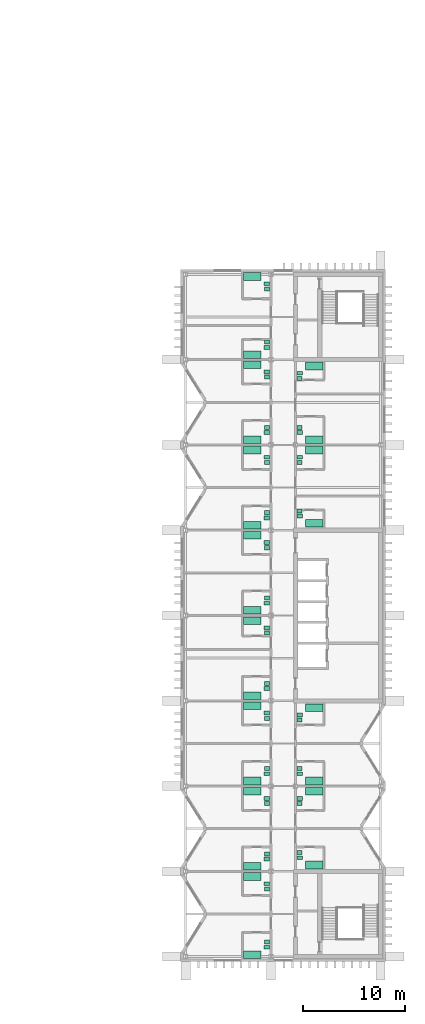
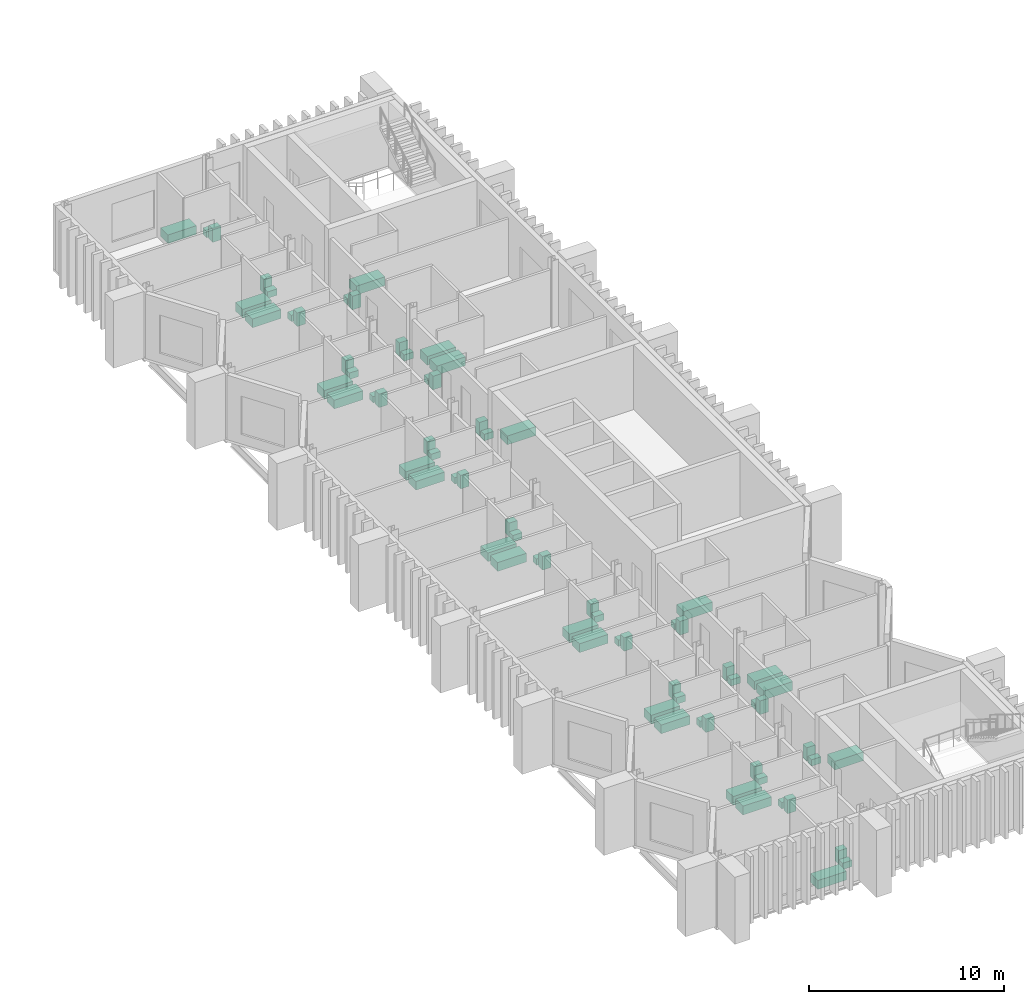
# One storey, part 20 of 20: 72 sanitary terminals.
"""IFC4 building model written with IfcOpenShell, lengths in metres."""

from ifc_helpers import new_model, si_unit, direction, frame, origin, origin_2d, place, context, subcontext, project, spatial, rectangle, extrude, material, type_object, element, save


model = new_model("IFC4")

# Units and contexts
model_context = context("Model", 3, precision=1e-05, world=origin(), true_north=direction((0.0, 1.0)))
body_context = subcontext(model_context, "Body", "Model", "MODEL_VIEW")
ifc_project = project(units=[si_unit("LENGTHUNIT", "METRE"), si_unit("AREAUNIT", "SQUARE_METRE"), si_unit("VOLUMEUNIT", "CUBIC_METRE"), si_unit("PLANEANGLEUNIT", "RADIAN"), si_unit("MASSUNIT", "GRAM", prefix="KILO")], contexts=[model_context])

# Site, building, storey
site_placement = place(None, origin())
site = spatial("IfcSite", under=ifc_project, at=site_placement, CompositionType="ELEMENT")
building_placement = place(site_placement, origin())
building = spatial("IfcBuilding", under=site, at=building_placement, Name="Cresset Court Congress Hotel", CompositionType="ELEMENT")
storey_placement = place(building_placement, frame((0.0, 0.0, 27.0)))
storey = spatial("IfcBuildingStorey", under=building, at=storey_placement, Name="L06", CompositionType="ELEMENT", Elevation=27.0)

# Sanitary terminals
ifc_material_1 = material(Name="Acrylic")
sanitary_terminal_type_1 = type_object("IfcSanitaryTerminalType", Name="Bath 1700x750", PredefinedType="BATH", material=ifc_material_1)
for number, where, z_axis, x_axis, name in (
    (1, (163.75, 0.205078125, 0.0), (0.0, 0.0, 1.0), (1.0, 0.0, 0.0), "Bath 1700x750 0601"),
    (2, (163.75, 7.89990234375, 0.0), (0.0, 0.0, 1.0), (1.0, 0.0, 0.0), "Bath 1700x750 0602"),
    (3, (163.75, 8.89990234375, 0.0), (0.0, 0.0, 1.0), (1.0, 0.0, 0.0), "Bath 1700x750 0603"),
    (4, (163.75, 16.300048828125, 0.0), (0.0, 0.0, 1.0), (1.0, 0.0, 0.0), "Bath 1700x750 0604"),
    (5, (163.75, 17.300048828125, 0.0), (0.0, 0.0, 1.0), (1.0, 0.0, 0.0), "Bath 1700x750 0605"),
    (6, (163.75, 24.699951171875, 0.0), (0.0, 0.0, 1.0), (1.0, 0.0, 0.0), "Bath 1700x750 0606"),
    (7, (163.75, 25.699951171875, 0.0), (0.0, 0.0, 1.0), (1.0, 0.0, 0.0), "Bath 1700x750 0607"),
    (8, (163.75, 33.10009765625, 0.0), (0.0, 0.0, 1.0), (1.0, 0.0, 0.0), "Bath 1700x750 0608"),
    (9, (163.75, 34.10009765625, 0.0), (0.0, 0.0, 1.0), (1.0, 0.0, 0.0), "Bath 1700x750 0609"),
    (10, (163.75, 41.5, 0.0), (0.0, 0.0, 1.0), (1.0, 0.0, 0.0), "Bath 1700x750 0610"),
    (11, (163.75, 42.5, 0.0), (0.0, 0.0, 1.0), (1.0, 0.0, 0.0), "Bath 1700x750 0611"),
    (12, (163.75, 49.89990234375, 0.0), (0.0, 0.0, 1.0), (1.0, 0.0, 0.0), "Bath 1700x750 0612"),
    (13, (163.75, 50.89990234375, 0.0), (0.0, 0.0, 1.0), (1.0, 0.0, 0.0), "Bath 1700x750 0613"),
    (14, (163.75, 58.300048828125, 0.0), (0.0, 0.0, 1.0), (1.0, 0.0, 0.0), "Bath 1700x750 0614"),
    (15, (163.75, 59.300048828125, 0.0), (0.0, 0.0, 1.0), (1.0, 0.0, 0.0), "Bath 1700x750 0615"),
    (16, (163.75, 66.9951171875, 0.0), (0.0, 0.0, 1.0), (1.0, 0.0, 0.0), "Bath 1700x750 0616"),
    (17, (169.85009765625, 9.02490234375, 0.0), (0.0, 0.0, 1.0), (1.0, 0.0, 0.0), "Bath 1700x750 0617"),
    (18, (169.85009765625, 16.300048828125, 0.0), (0.0, 0.0, 1.0), (1.0, 0.0, 0.0), "Bath 1700x750 0618"),
    (19, (169.85009765625, 17.300048828125, 0.0), (0.0, 0.0, 1.0), (1.0, 0.0, 0.0), "Bath 1700x750 0619"),
    (20, (169.85009765625, 24.52490234375, 0.0), (0.0, 0.0, 1.0), (1.0, 0.0, 0.0), "Bath 1700x750 0620"),
    (21, (169.85009765625, 42.675048828125, 0.0), (0.0, 0.0, 1.0), (1.0, 0.0, 0.0), "Bath 1700x750 0621"),
    (22, (169.85009765625, 49.89990234375, 0.0), (0.0, 0.0, 1.0), (1.0, 0.0, 0.0), "Bath 1700x750 0622"),
    (23, (169.85009765625, 50.89990234375, 0.0), (0.0, 0.0, 1.0), (1.0, 0.0, 0.0), "Bath 1700x750 0623"),
    (24, (169.85009765625, 58.175048828125, 0.0), (0.0, 0.0, 1.0), (1.0, 0.0, 0.0), "Bath 1700x750 0624"),
):
    element("IfcSanitaryTerminal", number, at=place(storey_placement, frame(where, z_axis=z_axis, x_axis=x_axis)), inside=storey, type_object=sanitary_terminal_type_1, Name=name, PredefinedType="BATH", context=body_context, shape_type="SweptSolid", body=[
        extrude(rectangle(XDim=1.699951171875, YDim=0.75, at=origin_2d()), origin(), (0.0, 0.0, 1.0), 0.550048828125),
    ])
ifc_material_2 = material(Name="Vitreous china")
sanitary_terminal_type_2 = type_object("IfcSanitaryTerminalType", Name="Toilet pan 550x380", PredefinedType="TOILETPAN", material=ifc_material_2)
for number, where, z_axis, x_axis, name in (
    (25, (165.175048828125, 0.919921875, 0.0), (0.0, 0.0, 1.0), (1.0, 0.0, 0.0), "Toilet pan 550x380 0601"),
    (26, (165.175048828125, 7.18505859375, 0.0), (0.0, 0.0, 1.0), (1.0, 0.0, 0.0), "Toilet pan 550x380 0602"),
    (27, (165.175048828125, 9.614990234375, 0.0), (0.0, 0.0, 1.0), (1.0, 0.0, 0.0), "Toilet pan 550x380 0603"),
    (28, (165.175048828125, 15.5849609375, 0.0), (0.0, 0.0, 1.0), (1.0, 0.0, 0.0), "Toilet pan 550x380 0604"),
    (29, (165.175048828125, 18.014892578125, 0.0), (0.0, 0.0, 1.0), (1.0, 0.0, 0.0), "Toilet pan 550x380 0605"),
    (30, (165.175048828125, 23.985107421875, 0.0), (0.0, 0.0, 1.0), (1.0, 0.0, 0.0), "Toilet pan 550x380 0606"),
    (31, (165.175048828125, 26.4150390625, 0.0), (0.0, 0.0, 1.0), (1.0, 0.0, 0.0), "Toilet pan 550x380 0607"),
    (32, (165.175048828125, 32.385009765625, 0.0), (0.0, 0.0, 1.0), (1.0, 0.0, 0.0), "Toilet pan 550x380 0608"),
    (33, (165.175048828125, 34.81494140625, 0.0), (0.0, 0.0, 1.0), (1.0, 0.0, 0.0), "Toilet pan 550x380 0609"),
    (34, (165.175048828125, 40.784912109375, 0.0), (0.0, 0.0, 1.0), (1.0, 0.0, 0.0), "Toilet pan 550x380 0610"),
    (35, (165.175048828125, 43.215087890625, 0.0), (0.0, 0.0, 1.0), (1.0, 0.0, 0.0), "Toilet pan 550x380 0611"),
    (36, (165.175048828125, 49.18505859375, 0.0), (0.0, 0.0, 1.0), (1.0, 0.0, 0.0), "Toilet pan 550x380 0612"),
    (37, (165.175048828125, 51.614990234375, 0.0), (0.0, 0.0, 1.0), (1.0, 0.0, 0.0), "Toilet pan 550x380 0613"),
    (38, (165.175048828125, 57.5849609375, 0.0), (0.0, 0.0, 1.0), (1.0, 0.0, 0.0), "Toilet pan 550x380 0614"),
    (39, (165.175048828125, 60.014892578125, 0.0), (0.0, 0.0, 1.0), (1.0, 0.0, 0.0), "Toilet pan 550x380 0615"),
    (40, (165.175048828125, 66.280029296875, 0.0), (0.0, 0.0, 1.0), (1.0, 0.0, 0.0), "Toilet pan 550x380 0616"),
    (41, (168.425048828125, 9.739990234375, 0.0), (0.0, 0.0, 1.0), (1.0, 0.0, 0.0), "Toilet pan 550x380 0617"),
    (42, (168.425048828125, 15.5849609375, 0.0), (0.0, 0.0, 1.0), (1.0, 0.0, 0.0), "Toilet pan 550x380 0618"),
    (43, (168.425048828125, 18.014892578125, 0.0), (0.0, 0.0, 1.0), (1.0, 0.0, 0.0), "Toilet pan 550x380 0619"),
    (44, (168.425048828125, 23.81005859375, 0.0), (0.0, 0.0, 1.0), (1.0, 0.0, 0.0), "Toilet pan 550x380 0620"),
    (45, (168.425048828125, 43.389892578125, 0.0), (0.0, 0.0, 1.0), (1.0, 0.0, 0.0), "Toilet pan 550x380 0621"),
    (46, (168.425048828125, 49.18505859375, 0.0), (0.0, 0.0, 1.0), (1.0, 0.0, 0.0), "Toilet pan 550x380 0622"),
    (47, (168.425048828125, 51.614990234375, 0.0), (0.0, 0.0, 1.0), (1.0, 0.0, 0.0), "Toilet pan 550x380 0623"),
    (48, (168.425048828125, 57.4599609375, 0.0), (0.0, 0.0, 1.0), (1.0, 0.0, 0.0), "Toilet pan 550x380 0624"),
):
    element("IfcSanitaryTerminal", number, at=place(storey_placement, frame(where, z_axis=z_axis, x_axis=x_axis)), inside=storey, type_object=sanitary_terminal_type_2, Name=name, PredefinedType="TOILETPAN", context=body_context, shape_type="SweptSolid", body=[
        extrude(rectangle(XDim=0.550048828125, YDim=0.3798828125, at=origin_2d()), origin(), (0.0, 0.0, 1.0), 0.39990234375),
    ])
ifc_material_3 = material(Name="Vitreous china")
sanitary_terminal_type_3 = type_object("IfcSanitaryTerminalType", Name="Wash basin 500x400", PredefinedType="WASHHANDBASIN", material=ifc_material_3)
for number, where, z_axis, x_axis, name in (
    (49, (165.199951171875, 1.429931640625, 0.0), (0.0, 0.0, 1.0), (1.0, 0.0, 0.0), "Wash basin 500x400 0601"),
    (50, (165.199951171875, 6.675048828125, 0.0), (0.0, 0.0, 1.0), (1.0, 0.0, 0.0), "Wash basin 500x400 0602"),
    (51, (165.199951171875, 10.125, 0.0), (0.0, 0.0, 1.0), (1.0, 0.0, 0.0), "Wash basin 500x400 0603"),
    (52, (165.199951171875, 15.074951171875, 0.0), (0.0, 0.0, 1.0), (1.0, 0.0, 0.0), "Wash basin 500x400 0604"),
    (53, (165.199951171875, 18.52490234375, 0.0), (0.0, 0.0, 1.0), (1.0, 0.0, 0.0), "Wash basin 500x400 0605"),
    (54, (165.199951171875, 23.47509765625, 0.0), (0.0, 0.0, 1.0), (1.0, 0.0, 0.0), "Wash basin 500x400 0606"),
    (55, (165.199951171875, 26.925048828125, 0.0), (0.0, 0.0, 1.0), (1.0, 0.0, 0.0), "Wash basin 500x400 0607"),
    (56, (165.199951171875, 31.875, 0.0), (0.0, 0.0, 1.0), (1.0, 0.0, 0.0), "Wash basin 500x400 0608"),
    (57, (165.199951171875, 35.324951171875, 0.0), (0.0, 0.0, 1.0), (1.0, 0.0, 0.0), "Wash basin 500x400 0609"),
    (58, (165.199951171875, 40.27490234375, 0.0), (0.0, 0.0, 1.0), (1.0, 0.0, 0.0), "Wash basin 500x400 0610"),
    (59, (165.199951171875, 43.72509765625, 0.0), (0.0, 0.0, 1.0), (1.0, 0.0, 0.0), "Wash basin 500x400 0611"),
    (60, (165.199951171875, 48.675048828125, 0.0), (0.0, 0.0, 1.0), (1.0, 0.0, 0.0), "Wash basin 500x400 0612"),
    (61, (165.199951171875, 52.125, 0.0), (0.0, 0.0, 1.0), (1.0, 0.0, 0.0), "Wash basin 500x400 0613"),
    (62, (165.199951171875, 57.074951171875, 0.0), (0.0, 0.0, 1.0), (1.0, 0.0, 0.0), "Wash basin 500x400 0614"),
    (63, (165.199951171875, 60.52490234375, 0.0), (0.0, 0.0, 1.0), (1.0, 0.0, 0.0), "Wash basin 500x400 0615"),
    (64, (165.199951171875, 65.77001953125, 0.0), (0.0, 0.0, 1.0), (1.0, 0.0, 0.0), "Wash basin 500x400 0616"),
    (65, (168.39990234375, 10.25, 0.0), (0.0, 0.0, 1.0), (1.0, 0.0, 0.0), "Wash basin 500x400 0617"),
    (66, (168.39990234375, 15.074951171875, 0.0), (0.0, 0.0, 1.0), (1.0, 0.0, 0.0), "Wash basin 500x400 0618"),
    (67, (168.39990234375, 18.52490234375, 0.0), (0.0, 0.0, 1.0), (1.0, 0.0, 0.0), "Wash basin 500x400 0619"),
    (68, (168.39990234375, 23.300048828125, 0.0), (0.0, 0.0, 1.0), (1.0, 0.0, 0.0), "Wash basin 500x400 0620"),
    (69, (168.39990234375, 43.89990234375, 0.0), (0.0, 0.0, 1.0), (1.0, 0.0, 0.0), "Wash basin 500x400 0621"),
    (70, (168.39990234375, 48.675048828125, 0.0), (0.0, 0.0, 1.0), (1.0, 0.0, 0.0), "Wash basin 500x400 0622"),
    (71, (168.39990234375, 52.125, 0.0), (0.0, 0.0, 1.0), (1.0, 0.0, 0.0), "Wash basin 500x400 0623"),
    (72, (168.39990234375, 56.949951171875, 0.0), (0.0, 0.0, 1.0), (1.0, 0.0, 0.0), "Wash basin 500x400 0624"),
):
    element("IfcSanitaryTerminal", number, at=place(storey_placement, frame(where, z_axis=z_axis, x_axis=x_axis)), inside=storey, type_object=sanitary_terminal_type_3, Name=name, PredefinedType="WASHHANDBASIN", context=body_context, shape_type="SweptSolid", body=[
        extrude(rectangle(XDim=0.5, YDim=0.39990234375, at=origin_2d()), origin(), (0.0, 0.0, 1.0), 0.85009765625),
    ])

save(model, "model.ifc")
